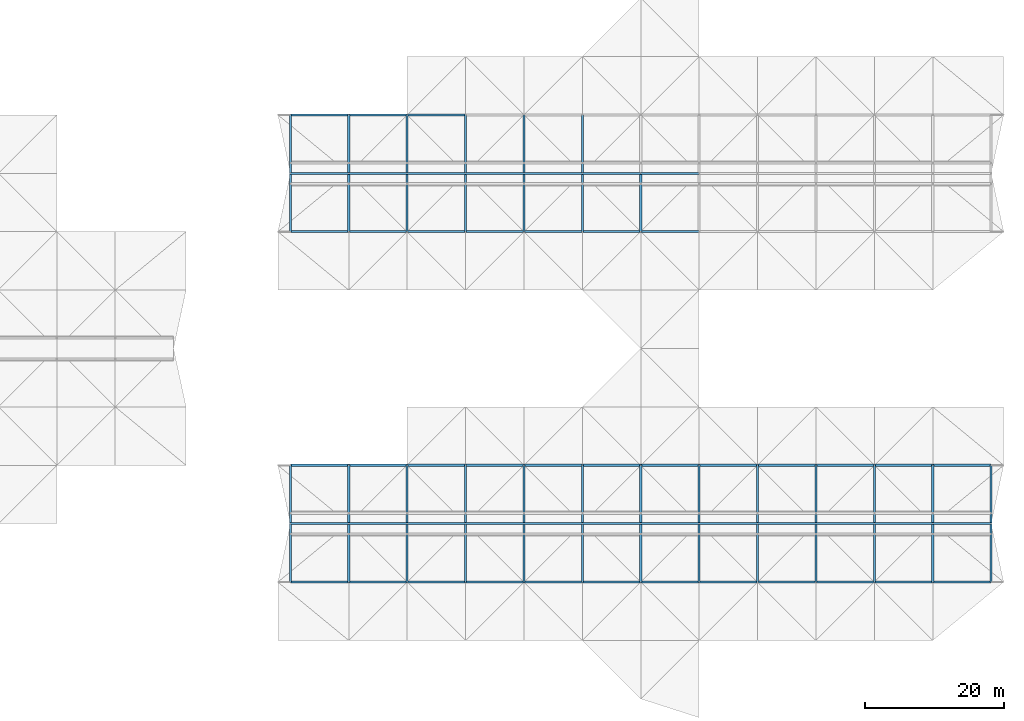
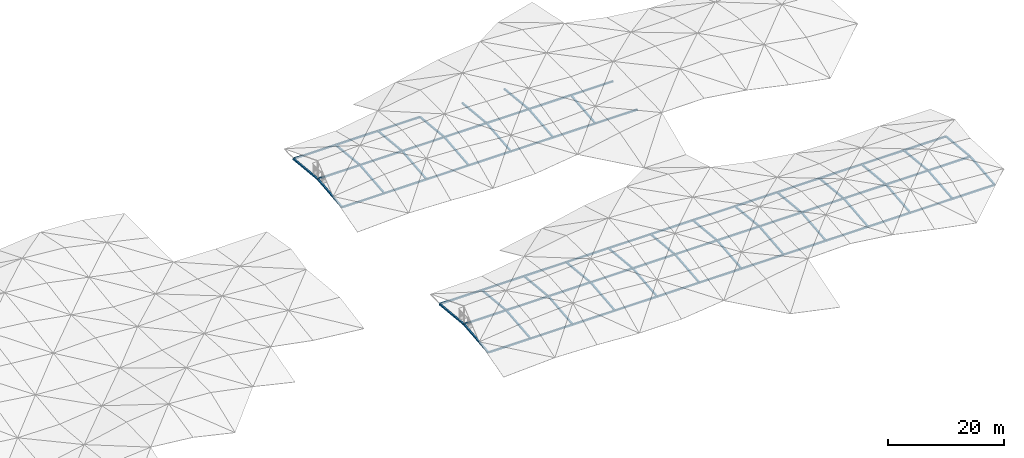
# One storey, part 1 of 46: 92 members.
"""IFC4 building model written with IfcOpenShell, lengths in metres."""

from ifc_helpers import new_model, si_unit, direction, frame, origin, origin_2d, place, context, subcontext, project, spatial, hollow_rectangle, extrude, material, material_profile, profile_set, type_object, element, save


model = new_model("IFC4")

# Units and contexts
model_context = context("Model", 3, precision=1e-05, world=origin(), true_north=direction((0.0, 1.0)))
body_context = subcontext(model_context, "Body", "Model", "MODEL_VIEW")
ifc_project = project(units=[si_unit("LENGTHUNIT", "METRE"), si_unit("AREAUNIT", "SQUARE_METRE"), si_unit("VOLUMEUNIT", "CUBIC_METRE"), si_unit("PLANEANGLEUNIT", "RADIAN"), si_unit("MASSUNIT", "GRAM", prefix="KILO")], contexts=[model_context])

# Site, building, storey
site_placement = place(None, origin())
site = spatial("IfcSite", under=ifc_project, at=site_placement, CompositionType="ELEMENT")
building_placement = place(site_placement, origin())
building = spatial("IfcBuilding", under=site, at=building_placement, Name="Rain Tree Exposition and Congress Centre", CompositionType="ELEMENT")
storey_placement = place(building_placement, frame((0.0, 0.0, 27.0)))
storey = spatial("IfcBuildingStorey", under=building, at=storey_placement, Name="ROOF VAULT CREST", CompositionType="ELEMENT", Elevation=27.0)

# Members
ifc_material = material(Name="Steel S355J2H", Category="steel")
ifc_material_profile = material_profile(ifc_material, hollow_rectangle(XDim=0.300048828125, YDim=0.300048828125, WallThickness=0.009033203125, at=origin_2d()), Name="RHS 300x300x9")
ifc_profile_set = profile_set([ifc_material_profile], Name="Steel S355J2H")
member_type = type_object("IfcMemberType", Name="Steel chord member RHS 300x300x9", PredefinedType="CHORD", material=ifc_profile_set)
member_1_placement = place(storey_placement, frame((142.800048828125, 117.60009765625, 0.40087890625), z_axis=(1.0, 0.0, 0.0), x_axis=(0.0, 1.0, 0.0)))
element("IfcMember", 1, at=member_1_placement, inside=storey, type_object=member_type, Name="Top chord 25", PredefinedType="CHORD", context=body_context, shape_type="SweptSolid", body=[
    extrude(hollow_rectangle(XDim=0.300048828125, YDim=0.300048828125, WallThickness=0.009033203125, at=origin_2d()), origin(), (0.0, 0.0, 1.0), 8.39990234375),
])
member_2_placement = place(storey_placement, frame((151.199951171875, 117.60009765625, 0.40087890625), z_axis=(1.0, 0.0, 0.0), x_axis=(0.0, 1.0, 0.0)))
element("IfcMember", 2, at=member_2_placement, inside=storey, type_object=member_type, Name="Top chord 26", PredefinedType="CHORD", context=body_context, shape_type="SweptSolid", body=[
    extrude(hollow_rectangle(XDim=0.300048828125, YDim=0.300048828125, WallThickness=0.009033203125, at=origin_2d()), origin(), (0.0, 0.0, 1.0), 8.400146484375),
])
for number, where, z_axis, x_axis, name in (
    (3, (159.60009765625, 117.60009765625, 0.40087890625), (1.0, 0.0, 0.0), (0.0, 1.0, 0.0), "Top chord 27"),
    (4, (168.0, 117.60009765625, 0.40087890625), (1.0, 0.0, 0.0), (0.0, 1.0, 0.0), "Top chord 28"),
):
    element("IfcMember", number, at=place(storey_placement, frame(where, z_axis=z_axis, x_axis=x_axis)), inside=storey, type_object=member_type, Name=name, PredefinedType="CHORD", context=body_context, shape_type="SweptSolid", body=[
        extrude(hollow_rectangle(XDim=0.300048828125, YDim=0.300048828125, WallThickness=0.009033203125, at=origin_2d()), origin(), (0.0, 0.0, 1.0), 8.39990234375),
    ])
member_3_placement = place(storey_placement, frame((176.39990234375, 117.60009765625, 0.40087890625), z_axis=(1.0, 0.0, 0.0), x_axis=(0.0, 1.0, 0.0)))
element("IfcMember", 5, at=member_3_placement, inside=storey, type_object=member_type, Name="Top chord 29", PredefinedType="CHORD", context=body_context, shape_type="SweptSolid", body=[
    extrude(hollow_rectangle(XDim=0.300048828125, YDim=0.300048828125, WallThickness=0.009033203125, at=origin_2d()), origin(), (0.0, 0.0, 1.0), 8.400146484375),
])
member_4_placement = place(storey_placement, frame((184.800048828125, 117.60009765625, 0.40087890625), z_axis=(1.0, 0.0, 0.0), x_axis=(0.0, 1.0, 0.0)))
element("IfcMember", 6, at=member_4_placement, inside=storey, type_object=member_type, Name="Top chord 30", PredefinedType="CHORD", context=body_context, shape_type="SweptSolid", body=[
    extrude(hollow_rectangle(XDim=0.300048828125, YDim=0.300048828125, WallThickness=0.009033203125, at=origin_2d()), origin(), (0.0, 0.0, 1.0), 8.39990234375),
])
member_5_placement = place(storey_placement, frame((193.199951171875, 117.60009765625, 0.40087890625), z_axis=(1.0, 0.0, 0.0), x_axis=(0.0, 1.0, 0.0)))
element("IfcMember", 7, at=member_5_placement, inside=storey, type_object=member_type, Name="Top chord 31", PredefinedType="CHORD", context=body_context, shape_type="SweptSolid", body=[
    extrude(hollow_rectangle(XDim=0.300048828125, YDim=0.300048828125, WallThickness=0.009033203125, at=origin_2d()), origin(), (0.0, 0.0, 1.0), 8.400146484375),
])
for number, where, z_axis, x_axis, name in (
    (8, (201.60009765625, 117.60009765625, 0.40087890625), (1.0, 0.0, 0.0), (0.0, 1.0, 0.0), "Top chord 32"),
    (9, (210.0, 117.60009765625, 0.40087890625), (1.0, 0.0, 0.0), (0.0, 1.0, 0.0), "Top chord 33"),
):
    element("IfcMember", number, at=place(storey_placement, frame(where, z_axis=z_axis, x_axis=x_axis)), inside=storey, type_object=member_type, Name=name, PredefinedType="CHORD", context=body_context, shape_type="SweptSolid", body=[
        extrude(hollow_rectangle(XDim=0.300048828125, YDim=0.300048828125, WallThickness=0.009033203125, at=origin_2d()), origin(), (0.0, 0.0, 1.0), 8.39990234375),
    ])
member_6_placement = place(storey_placement, frame((218.39990234375, 117.60009765625, 0.40087890625), z_axis=(1.0, 0.0, 0.0), x_axis=(0.0, 1.0, 0.0)))
element("IfcMember", 10, at=member_6_placement, inside=storey, type_object=member_type, Name="Top chord 34", PredefinedType="CHORD", context=body_context, shape_type="SweptSolid", body=[
    extrude(hollow_rectangle(XDim=0.300048828125, YDim=0.300048828125, WallThickness=0.009033203125, at=origin_2d()), origin(), (0.0, 0.0, 1.0), 8.400146484375),
])
member_7_placement = place(storey_placement, frame((226.800048828125, 117.60009765625, 0.40087890625), z_axis=(1.0, 0.0, 0.0), x_axis=(0.0, 1.0, 0.0)))
element("IfcMember", 11, at=member_7_placement, inside=storey, type_object=member_type, Name="Top chord 35", PredefinedType="CHORD", context=body_context, shape_type="SweptSolid", body=[
    extrude(hollow_rectangle(XDim=0.300048828125, YDim=0.300048828125, WallThickness=0.009033203125, at=origin_2d()), origin(), (0.0, 0.0, 1.0), 8.39990234375),
])
member_8_placement = place(storey_placement, frame((235.199951171875, 117.60009765625, 0.40087890625), z_axis=(1.0, 0.0, 0.0), x_axis=(0.0, 1.0, 0.0)))
element("IfcMember", 12, at=member_8_placement, inside=storey, type_object=member_type, Name="Top chord 36", PredefinedType="CHORD", context=body_context, shape_type="SweptSolid", body=[
    extrude(hollow_rectangle(XDim=0.300048828125, YDim=0.300048828125, WallThickness=0.009033203125, at=origin_2d()), origin(), (0.0, 0.0, 1.0), 8.400146484375),
])
member_9_placement = place(storey_placement, frame((142.800048828125, 126.0, 1.25), z_axis=(1.0, 0.0, 0.0), x_axis=(0.0, 1.0, 0.0)))
element("IfcMember", 13, at=member_9_placement, inside=storey, type_object=member_type, Name="Top chord 37", PredefinedType="CHORD", context=body_context, shape_type="SweptSolid", body=[
    extrude(hollow_rectangle(XDim=0.300048828125, YDim=0.300048828125, WallThickness=0.009033203125, at=origin_2d()), origin(), (0.0, 0.0, 1.0), 8.39990234375),
])
member_10_placement = place(storey_placement, frame((151.199951171875, 126.0, 1.25), z_axis=(1.0, 0.0, 0.0), x_axis=(0.0, 1.0, 0.0)))
element("IfcMember", 14, at=member_10_placement, inside=storey, type_object=member_type, Name="Top chord 38", PredefinedType="CHORD", context=body_context, shape_type="SweptSolid", body=[
    extrude(hollow_rectangle(XDim=0.300048828125, YDim=0.300048828125, WallThickness=0.009033203125, at=origin_2d()), origin(), (0.0, 0.0, 1.0), 8.400146484375),
])
for number, where, z_axis, x_axis, name in (
    (15, (159.60009765625, 126.0, 1.25), (1.0, 0.0, 0.0), (0.0, 1.0, 0.0), "Top chord 39"),
    (16, (168.0, 126.0, 1.25), (1.0, 0.0, 0.0), (0.0, 1.0, 0.0), "Top chord 40"),
):
    element("IfcMember", number, at=place(storey_placement, frame(where, z_axis=z_axis, x_axis=x_axis)), inside=storey, type_object=member_type, Name=name, PredefinedType="CHORD", context=body_context, shape_type="SweptSolid", body=[
        extrude(hollow_rectangle(XDim=0.300048828125, YDim=0.300048828125, WallThickness=0.009033203125, at=origin_2d()), origin(), (0.0, 0.0, 1.0), 8.39990234375),
    ])
member_11_placement = place(storey_placement, frame((176.39990234375, 126.0, 1.25), z_axis=(1.0, 0.0, 0.0), x_axis=(0.0, 1.0, 0.0)))
element("IfcMember", 17, at=member_11_placement, inside=storey, type_object=member_type, Name="Top chord 41", PredefinedType="CHORD", context=body_context, shape_type="SweptSolid", body=[
    extrude(hollow_rectangle(XDim=0.300048828125, YDim=0.300048828125, WallThickness=0.009033203125, at=origin_2d()), origin(), (0.0, 0.0, 1.0), 8.400146484375),
])
member_12_placement = place(storey_placement, frame((184.800048828125, 126.0, 1.25), z_axis=(1.0, 0.0, 0.0), x_axis=(0.0, 1.0, 0.0)))
element("IfcMember", 18, at=member_12_placement, inside=storey, type_object=member_type, Name="Top chord 42", PredefinedType="CHORD", context=body_context, shape_type="SweptSolid", body=[
    extrude(hollow_rectangle(XDim=0.300048828125, YDim=0.300048828125, WallThickness=0.009033203125, at=origin_2d()), origin(), (0.0, 0.0, 1.0), 8.39990234375),
])
member_13_placement = place(storey_placement, frame((193.199951171875, 126.0, 1.25), z_axis=(1.0, 0.0, 0.0), x_axis=(0.0, 1.0, 0.0)))
element("IfcMember", 19, at=member_13_placement, inside=storey, type_object=member_type, Name="Top chord 43", PredefinedType="CHORD", context=body_context, shape_type="SweptSolid", body=[
    extrude(hollow_rectangle(XDim=0.300048828125, YDim=0.300048828125, WallThickness=0.009033203125, at=origin_2d()), origin(), (0.0, 0.0, 1.0), 8.400146484375),
])
for number, where, z_axis, x_axis, name in (
    (20, (201.60009765625, 126.0, 1.25), (1.0, 0.0, 0.0), (0.0, 1.0, 0.0), "Top chord 44"),
    (21, (210.0, 126.0, 1.25), (1.0, 0.0, 0.0), (0.0, 1.0, 0.0), "Top chord 45"),
):
    element("IfcMember", number, at=place(storey_placement, frame(where, z_axis=z_axis, x_axis=x_axis)), inside=storey, type_object=member_type, Name=name, PredefinedType="CHORD", context=body_context, shape_type="SweptSolid", body=[
        extrude(hollow_rectangle(XDim=0.300048828125, YDim=0.300048828125, WallThickness=0.009033203125, at=origin_2d()), origin(), (0.0, 0.0, 1.0), 8.39990234375),
    ])
member_14_placement = place(storey_placement, frame((218.39990234375, 126.0, 1.25), z_axis=(1.0, 0.0, 0.0), x_axis=(0.0, 1.0, 0.0)))
element("IfcMember", 22, at=member_14_placement, inside=storey, type_object=member_type, Name="Top chord 46", PredefinedType="CHORD", context=body_context, shape_type="SweptSolid", body=[
    extrude(hollow_rectangle(XDim=0.300048828125, YDim=0.300048828125, WallThickness=0.009033203125, at=origin_2d()), origin(), (0.0, 0.0, 1.0), 8.400146484375),
])
member_15_placement = place(storey_placement, frame((226.800048828125, 126.0, 1.25), z_axis=(1.0, 0.0, 0.0), x_axis=(0.0, 1.0, 0.0)))
element("IfcMember", 23, at=member_15_placement, inside=storey, type_object=member_type, Name="Top chord 47", PredefinedType="CHORD", context=body_context, shape_type="SweptSolid", body=[
    extrude(hollow_rectangle(XDim=0.300048828125, YDim=0.300048828125, WallThickness=0.009033203125, at=origin_2d()), origin(), (0.0, 0.0, 1.0), 8.39990234375),
])
member_16_placement = place(storey_placement, frame((235.199951171875, 126.0, 1.25), z_axis=(1.0, 0.0, 0.0), x_axis=(0.0, 1.0, 0.0)))
element("IfcMember", 24, at=member_16_placement, inside=storey, type_object=member_type, Name="Top chord 48", PredefinedType="CHORD", context=body_context, shape_type="SweptSolid", body=[
    extrude(hollow_rectangle(XDim=0.300048828125, YDim=0.300048828125, WallThickness=0.009033203125, at=origin_2d()), origin(), (0.0, 0.0, 1.0), 8.400146484375),
])
member_17_placement = place(storey_placement, frame((142.800048828125, 134.39990234375, 0.40087890625), z_axis=(1.0, 0.0, 0.0), x_axis=(0.0, 1.0, 0.0)))
element("IfcMember", 25, at=member_17_placement, inside=storey, type_object=member_type, Name="Top chord 49", PredefinedType="CHORD", context=body_context, shape_type="SweptSolid", body=[
    extrude(hollow_rectangle(XDim=0.300048828125, YDim=0.300048828125, WallThickness=0.009033203125, at=origin_2d()), origin(), (0.0, 0.0, 1.0), 8.39990234375),
])
member_18_placement = place(storey_placement, frame((151.199951171875, 134.39990234375, 0.40087890625), z_axis=(1.0, 0.0, 0.0), x_axis=(0.0, 1.0, 0.0)))
element("IfcMember", 26, at=member_18_placement, inside=storey, type_object=member_type, Name="Top chord 50", PredefinedType="CHORD", context=body_context, shape_type="SweptSolid", body=[
    extrude(hollow_rectangle(XDim=0.300048828125, YDim=0.300048828125, WallThickness=0.009033203125, at=origin_2d()), origin(), (0.0, 0.0, 1.0), 8.400146484375),
])
for number, where, z_axis, x_axis, name in (
    (27, (159.60009765625, 134.39990234375, 0.40087890625), (1.0, 0.0, 0.0), (0.0, 1.0, 0.0), "Top chord 51"),
    (28, (168.0, 134.39990234375, 0.40087890625), (1.0, 0.0, 0.0), (0.0, 1.0, 0.0), "Top chord 52"),
):
    element("IfcMember", number, at=place(storey_placement, frame(where, z_axis=z_axis, x_axis=x_axis)), inside=storey, type_object=member_type, Name=name, PredefinedType="CHORD", context=body_context, shape_type="SweptSolid", body=[
        extrude(hollow_rectangle(XDim=0.300048828125, YDim=0.300048828125, WallThickness=0.009033203125, at=origin_2d()), origin(), (0.0, 0.0, 1.0), 8.39990234375),
    ])
member_19_placement = place(storey_placement, frame((176.39990234375, 134.39990234375, 0.40087890625), z_axis=(1.0, 0.0, 0.0), x_axis=(0.0, 1.0, 0.0)))
element("IfcMember", 29, at=member_19_placement, inside=storey, type_object=member_type, Name="Top chord 53", PredefinedType="CHORD", context=body_context, shape_type="SweptSolid", body=[
    extrude(hollow_rectangle(XDim=0.300048828125, YDim=0.300048828125, WallThickness=0.009033203125, at=origin_2d()), origin(), (0.0, 0.0, 1.0), 8.400146484375),
])
member_20_placement = place(storey_placement, frame((184.800048828125, 134.39990234375, 0.40087890625), z_axis=(1.0, 0.0, 0.0), x_axis=(0.0, 1.0, 0.0)))
element("IfcMember", 30, at=member_20_placement, inside=storey, type_object=member_type, Name="Top chord 54", PredefinedType="CHORD", context=body_context, shape_type="SweptSolid", body=[
    extrude(hollow_rectangle(XDim=0.300048828125, YDim=0.300048828125, WallThickness=0.009033203125, at=origin_2d()), origin(), (0.0, 0.0, 1.0), 8.39990234375),
])
member_21_placement = place(storey_placement, frame((193.199951171875, 134.39990234375, 0.40087890625), z_axis=(1.0, 0.0, 0.0), x_axis=(0.0, 1.0, 0.0)))
element("IfcMember", 31, at=member_21_placement, inside=storey, type_object=member_type, Name="Top chord 55", PredefinedType="CHORD", context=body_context, shape_type="SweptSolid", body=[
    extrude(hollow_rectangle(XDim=0.300048828125, YDim=0.300048828125, WallThickness=0.009033203125, at=origin_2d()), origin(), (0.0, 0.0, 1.0), 8.400146484375),
])
for number, where, z_axis, x_axis, name in (
    (32, (201.60009765625, 134.39990234375, 0.40087890625), (1.0, 0.0, 0.0), (0.0, 1.0, 0.0), "Top chord 56"),
    (33, (210.0, 134.39990234375, 0.40087890625), (1.0, 0.0, 0.0), (0.0, 1.0, 0.0), "Top chord 57"),
):
    element("IfcMember", number, at=place(storey_placement, frame(where, z_axis=z_axis, x_axis=x_axis)), inside=storey, type_object=member_type, Name=name, PredefinedType="CHORD", context=body_context, shape_type="SweptSolid", body=[
        extrude(hollow_rectangle(XDim=0.300048828125, YDim=0.300048828125, WallThickness=0.009033203125, at=origin_2d()), origin(), (0.0, 0.0, 1.0), 8.39990234375),
    ])
member_22_placement = place(storey_placement, frame((218.39990234375, 134.39990234375, 0.40087890625), z_axis=(1.0, 0.0, 0.0), x_axis=(0.0, 1.0, 0.0)))
element("IfcMember", 34, at=member_22_placement, inside=storey, type_object=member_type, Name="Top chord 58", PredefinedType="CHORD", context=body_context, shape_type="SweptSolid", body=[
    extrude(hollow_rectangle(XDim=0.300048828125, YDim=0.300048828125, WallThickness=0.009033203125, at=origin_2d()), origin(), (0.0, 0.0, 1.0), 8.400146484375),
])
member_23_placement = place(storey_placement, frame((226.800048828125, 134.39990234375, 0.40087890625), z_axis=(1.0, 0.0, 0.0), x_axis=(0.0, 1.0, 0.0)))
element("IfcMember", 35, at=member_23_placement, inside=storey, type_object=member_type, Name="Top chord 59", PredefinedType="CHORD", context=body_context, shape_type="SweptSolid", body=[
    extrude(hollow_rectangle(XDim=0.300048828125, YDim=0.300048828125, WallThickness=0.009033203125, at=origin_2d()), origin(), (0.0, 0.0, 1.0), 8.39990234375),
])
member_24_placement = place(storey_placement, frame((235.199951171875, 134.39990234375, 0.40087890625), z_axis=(1.0, 0.0, 0.0), x_axis=(0.0, 1.0, 0.0)))
element("IfcMember", 36, at=member_24_placement, inside=storey, type_object=member_type, Name="Top chord 60", PredefinedType="CHORD", context=body_context, shape_type="SweptSolid", body=[
    extrude(hollow_rectangle(XDim=0.300048828125, YDim=0.300048828125, WallThickness=0.009033203125, at=origin_2d()), origin(), (0.0, 0.0, 1.0), 8.400146484375),
])
member_25_placement = place(storey_placement, frame((142.800048828125, 168.0, 0.40087890625), z_axis=(1.0, 0.0, 0.0), x_axis=(0.0, 1.0, 0.0)))
element("IfcMember", 37, at=member_25_placement, inside=storey, type_object=member_type, Name="Top chord 97", PredefinedType="CHORD", context=body_context, shape_type="SweptSolid", body=[
    extrude(hollow_rectangle(XDim=0.300048828125, YDim=0.300048828125, WallThickness=0.009033203125, at=origin_2d()), origin(), (0.0, 0.0, 1.0), 8.39990234375),
])
member_26_placement = place(storey_placement, frame((151.199951171875, 168.0, 0.40087890625), z_axis=(1.0, 0.0, 0.0), x_axis=(0.0, 1.0, 0.0)))
element("IfcMember", 38, at=member_26_placement, inside=storey, type_object=member_type, Name="Top chord 98", PredefinedType="CHORD", context=body_context, shape_type="SweptSolid", body=[
    extrude(hollow_rectangle(XDim=0.300048828125, YDim=0.300048828125, WallThickness=0.009033203125, at=origin_2d()), origin(), (0.0, 0.0, 1.0), 8.400146484375),
])
for number, where, z_axis, x_axis, name in (
    (39, (159.60009765625, 168.0, 0.40087890625), (1.0, 0.0, 0.0), (0.0, 1.0, 0.0), "Top chord 99"),
    (40, (168.0, 168.0, 0.40087890625), (1.0, 0.0, 0.0), (0.0, 1.0, 0.0), "Top chord 100"),
):
    element("IfcMember", number, at=place(storey_placement, frame(where, z_axis=z_axis, x_axis=x_axis)), inside=storey, type_object=member_type, Name=name, PredefinedType="CHORD", context=body_context, shape_type="SweptSolid", body=[
        extrude(hollow_rectangle(XDim=0.300048828125, YDim=0.300048828125, WallThickness=0.009033203125, at=origin_2d()), origin(), (0.0, 0.0, 1.0), 8.39990234375),
    ])
member_27_placement = place(storey_placement, frame((176.39990234375, 168.0, 0.40087890625), z_axis=(1.0, 0.0, 0.0), x_axis=(0.0, 1.0, 0.0)))
element("IfcMember", 41, at=member_27_placement, inside=storey, type_object=member_type, Name="Top chord 101", PredefinedType="CHORD", context=body_context, shape_type="SweptSolid", body=[
    extrude(hollow_rectangle(XDim=0.300048828125, YDim=0.300048828125, WallThickness=0.009033203125, at=origin_2d()), origin(), (0.0, 0.0, 1.0), 8.400146484375),
])
member_28_placement = place(storey_placement, frame((184.800048828125, 168.0, 0.40087890625), z_axis=(1.0, 0.0, 0.0), x_axis=(0.0, 1.0, 0.0)))
element("IfcMember", 42, at=member_28_placement, inside=storey, type_object=member_type, Name="Top chord 102", PredefinedType="CHORD", context=body_context, shape_type="SweptSolid", body=[
    extrude(hollow_rectangle(XDim=0.300048828125, YDim=0.300048828125, WallThickness=0.009033203125, at=origin_2d()), origin(), (0.0, 0.0, 1.0), 8.39990234375),
])
member_29_placement = place(storey_placement, frame((193.199951171875, 168.0, 0.40087890625), z_axis=(1.0, 0.0, 0.0), x_axis=(0.0, 1.0, 0.0)))
element("IfcMember", 43, at=member_29_placement, inside=storey, type_object=member_type, Name="Top chord 103", PredefinedType="CHORD", context=body_context, shape_type="SweptSolid", body=[
    extrude(hollow_rectangle(XDim=0.300048828125, YDim=0.300048828125, WallThickness=0.009033203125, at=origin_2d()), origin(), (0.0, 0.0, 1.0), 8.400146484375),
])
member_30_placement = place(storey_placement, frame((142.800048828125, 176.39990234375, 1.25), z_axis=(1.0, 0.0, 0.0), x_axis=(0.0, 1.0, 0.0)))
element("IfcMember", 44, at=member_30_placement, inside=storey, type_object=member_type, Name="Top chord 109", PredefinedType="CHORD", context=body_context, shape_type="SweptSolid", body=[
    extrude(hollow_rectangle(XDim=0.300048828125, YDim=0.300048828125, WallThickness=0.009033203125, at=origin_2d()), origin(), (0.0, 0.0, 1.0), 8.39990234375),
])
member_31_placement = place(storey_placement, frame((151.199951171875, 176.39990234375, 1.25), z_axis=(1.0, 0.0, 0.0), x_axis=(0.0, 1.0, 0.0)))
element("IfcMember", 45, at=member_31_placement, inside=storey, type_object=member_type, Name="Top chord 110", PredefinedType="CHORD", context=body_context, shape_type="SweptSolid", body=[
    extrude(hollow_rectangle(XDim=0.300048828125, YDim=0.300048828125, WallThickness=0.009033203125, at=origin_2d()), origin(), (0.0, 0.0, 1.0), 8.400146484375),
])
for number, where, z_axis, x_axis, name in (
    (46, (159.60009765625, 176.39990234375, 1.25), (1.0, 0.0, 0.0), (0.0, 1.0, 0.0), "Top chord 111"),
    (47, (168.0, 176.39990234375, 1.25), (1.0, 0.0, 0.0), (0.0, 1.0, 0.0), "Top chord 112"),
):
    element("IfcMember", number, at=place(storey_placement, frame(where, z_axis=z_axis, x_axis=x_axis)), inside=storey, type_object=member_type, Name=name, PredefinedType="CHORD", context=body_context, shape_type="SweptSolid", body=[
        extrude(hollow_rectangle(XDim=0.300048828125, YDim=0.300048828125, WallThickness=0.009033203125, at=origin_2d()), origin(), (0.0, 0.0, 1.0), 8.39990234375),
    ])
member_32_placement = place(storey_placement, frame((176.39990234375, 176.39990234375, 1.25), z_axis=(1.0, 0.0, 0.0), x_axis=(0.0, 1.0, 0.0)))
element("IfcMember", 48, at=member_32_placement, inside=storey, type_object=member_type, Name="Top chord 113", PredefinedType="CHORD", context=body_context, shape_type="SweptSolid", body=[
    extrude(hollow_rectangle(XDim=0.300048828125, YDim=0.300048828125, WallThickness=0.009033203125, at=origin_2d()), origin(), (0.0, 0.0, 1.0), 8.400146484375),
])
member_33_placement = place(storey_placement, frame((184.800048828125, 176.39990234375, 1.25), z_axis=(1.0, 0.0, 0.0), x_axis=(0.0, 1.0, 0.0)))
element("IfcMember", 49, at=member_33_placement, inside=storey, type_object=member_type, Name="Top chord 114", PredefinedType="CHORD", context=body_context, shape_type="SweptSolid", body=[
    extrude(hollow_rectangle(XDim=0.300048828125, YDim=0.300048828125, WallThickness=0.009033203125, at=origin_2d()), origin(), (0.0, 0.0, 1.0), 8.39990234375),
])
member_34_placement = place(storey_placement, frame((193.199951171875, 176.39990234375, 1.25), z_axis=(1.0, 0.0, 0.0), x_axis=(0.0, 1.0, 0.0)))
element("IfcMember", 50, at=member_34_placement, inside=storey, type_object=member_type, Name="Top chord 115", PredefinedType="CHORD", context=body_context, shape_type="SweptSolid", body=[
    extrude(hollow_rectangle(XDim=0.300048828125, YDim=0.300048828125, WallThickness=0.009033203125, at=origin_2d()), origin(), (0.0, 0.0, 1.0), 8.400146484375),
])
member_35_placement = place(storey_placement, frame((142.800048828125, 184.800048828125, 0.40087890625), z_axis=(1.0, 0.0, 0.0), x_axis=(0.0, 1.0, 0.0)))
element("IfcMember", 51, at=member_35_placement, inside=storey, type_object=member_type, Name="Top chord 121", PredefinedType="CHORD", context=body_context, shape_type="SweptSolid", body=[
    extrude(hollow_rectangle(XDim=0.300048828125, YDim=0.300048828125, WallThickness=0.009033203125, at=origin_2d()), origin(), (0.0, 0.0, 1.0), 8.39990234375),
])
member_36_placement = place(storey_placement, frame((151.199951171875, 184.800048828125, 0.40087890625), z_axis=(1.0, 0.0, 0.0), x_axis=(0.0, 1.0, 0.0)))
element("IfcMember", 52, at=member_36_placement, inside=storey, type_object=member_type, Name="Top chord 122", PredefinedType="CHORD", context=body_context, shape_type="SweptSolid", body=[
    extrude(hollow_rectangle(XDim=0.300048828125, YDim=0.300048828125, WallThickness=0.009033203125, at=origin_2d()), origin(), (0.0, 0.0, 1.0), 8.400146484375),
])
member_37_placement = place(storey_placement, frame((159.60009765625, 184.800048828125, 0.40087890625), z_axis=(1.0, 0.0, 0.0), x_axis=(0.0, 1.0, 0.0)))
element("IfcMember", 53, at=member_37_placement, inside=storey, type_object=member_type, Name="Top chord 123", PredefinedType="CHORD", context=body_context, shape_type="SweptSolid", body=[
    extrude(hollow_rectangle(XDim=0.300048828125, YDim=0.300048828125, WallThickness=0.009033203125, at=origin_2d()), origin(), (0.0, 0.0, 1.0), 8.39990234375),
])
for number, where, z_axis, x_axis, name in (
    (54, (142.800048828125, 117.60009765625, 0.40087890625), (0.0, 0.994929534043, 0.100574461414), (-1.0, 0.0, 0.0), "Top chord 159"),
    (55, (142.800048828125, 126.0, 1.25), (0.0, 0.994929534043, -0.100574461414), (-1.0, 0.0, 0.0), "Top chord 160"),
    (56, (142.800048828125, 168.0, 0.40087890625), (0.0, 0.994929534043, 0.100574461414), (-1.0, 0.0, 0.0), "Top chord 165"),
):
    element("IfcMember", number, at=place(storey_placement, frame(where, z_axis=z_axis, x_axis=x_axis)), inside=storey, type_object=member_type, Name=name, PredefinedType="CHORD", context=body_context, shape_type="SweptSolid", body=[
        extrude(hollow_rectangle(XDim=0.300048828125, YDim=0.300048828125, WallThickness=0.009033203125, at=origin_2d()), origin(), (0.0, 0.0, 1.0), 8.442626953125),
    ])
member_38_placement = place(storey_placement, frame((142.800048828125, 176.39990234375, 1.25), z_axis=(0.0, 0.994929826536, -0.100571567899), x_axis=(-1.0, 0.0, 0.0)))
element("IfcMember", 57, at=member_38_placement, inside=storey, type_object=member_type, Name="Top chord 166", PredefinedType="CHORD", context=body_context, shape_type="SweptSolid", body=[
    extrude(hollow_rectangle(XDim=0.300048828125, YDim=0.300048828125, WallThickness=0.009033203125, at=origin_2d()), origin(), (0.0, 0.0, 1.0), 8.44287109375),
])
for number, where, z_axis, x_axis, name in (
    (58, (151.199951171875, 117.60009765625, 0.40087890625), (0.0, 0.994929534043, 0.100574461414), (-1.0, 0.0, 0.0), "Top chord 171"),
    (59, (151.199951171875, 126.0, 1.25), (0.0, 0.994929534043, -0.100574461414), (-1.0, 0.0, 0.0), "Top chord 172"),
    (60, (151.199951171875, 168.0, 0.40087890625), (0.0, 0.994929534043, 0.100574461414), (-1.0, 0.0, 0.0), "Top chord 177"),
):
    element("IfcMember", number, at=place(storey_placement, frame(where, z_axis=z_axis, x_axis=x_axis)), inside=storey, type_object=member_type, Name=name, PredefinedType="CHORD", context=body_context, shape_type="SweptSolid", body=[
        extrude(hollow_rectangle(XDim=0.300048828125, YDim=0.300048828125, WallThickness=0.009033203125, at=origin_2d()), origin(), (0.0, 0.0, 1.0), 8.442626953125),
    ])
member_39_placement = place(storey_placement, frame((151.199951171875, 176.39990234375, 1.25), z_axis=(0.0, 0.994929826536, -0.100571567899), x_axis=(-1.0, 0.0, 0.0)))
element("IfcMember", 61, at=member_39_placement, inside=storey, type_object=member_type, Name="Top chord 178", PredefinedType="CHORD", context=body_context, shape_type="SweptSolid", body=[
    extrude(hollow_rectangle(XDim=0.300048828125, YDim=0.300048828125, WallThickness=0.009033203125, at=origin_2d()), origin(), (0.0, 0.0, 1.0), 8.44287109375),
])
for number, where, z_axis, x_axis, name in (
    (62, (159.60009765625, 117.60009765625, 0.40087890625), (0.0, 0.994929534043, 0.100574461414), (-1.0, 0.0, 0.0), "Top chord 183"),
    (63, (159.60009765625, 126.0, 1.25), (0.0, 0.994929534043, -0.100574461414), (-1.0, 0.0, 0.0), "Top chord 184"),
    (64, (159.60009765625, 168.0, 0.40087890625), (0.0, 0.994929534043, 0.100574461414), (-1.0, 0.0, 0.0), "Top chord 189"),
):
    element("IfcMember", number, at=place(storey_placement, frame(where, z_axis=z_axis, x_axis=x_axis)), inside=storey, type_object=member_type, Name=name, PredefinedType="CHORD", context=body_context, shape_type="SweptSolid", body=[
        extrude(hollow_rectangle(XDim=0.300048828125, YDim=0.300048828125, WallThickness=0.009033203125, at=origin_2d()), origin(), (0.0, 0.0, 1.0), 8.442626953125),
    ])
member_40_placement = place(storey_placement, frame((159.60009765625, 176.39990234375, 1.25), z_axis=(0.0, 0.994929826536, -0.100571567899), x_axis=(-1.0, 0.0, 0.0)))
element("IfcMember", 65, at=member_40_placement, inside=storey, type_object=member_type, Name="Top chord 190", PredefinedType="CHORD", context=body_context, shape_type="SweptSolid", body=[
    extrude(hollow_rectangle(XDim=0.300048828125, YDim=0.300048828125, WallThickness=0.009033203125, at=origin_2d()), origin(), (0.0, 0.0, 1.0), 8.44287109375),
])
for number, where, z_axis, x_axis, name in (
    (66, (168.0, 117.60009765625, 0.40087890625), (0.0, 0.994929534043, 0.100574461414), (-1.0, 0.0, 0.0), "Top chord 195"),
    (67, (168.0, 126.0, 1.25), (0.0, 0.994929534043, -0.100574461414), (-1.0, 0.0, 0.0), "Top chord 196"),
    (68, (168.0, 168.0, 0.40087890625), (0.0, 0.994929534043, 0.100574461414), (-1.0, 0.0, 0.0), "Top chord 201"),
):
    element("IfcMember", number, at=place(storey_placement, frame(where, z_axis=z_axis, x_axis=x_axis)), inside=storey, type_object=member_type, Name=name, PredefinedType="CHORD", context=body_context, shape_type="SweptSolid", body=[
        extrude(hollow_rectangle(XDim=0.300048828125, YDim=0.300048828125, WallThickness=0.009033203125, at=origin_2d()), origin(), (0.0, 0.0, 1.0), 8.442626953125),
    ])
member_41_placement = place(storey_placement, frame((168.0, 176.39990234375, 1.25), z_axis=(0.0, 0.994929826536, -0.100571567899), x_axis=(-1.0, 0.0, 0.0)))
element("IfcMember", 69, at=member_41_placement, inside=storey, type_object=member_type, Name="Top chord 202", PredefinedType="CHORD", context=body_context, shape_type="SweptSolid", body=[
    extrude(hollow_rectangle(XDim=0.300048828125, YDim=0.300048828125, WallThickness=0.009033203125, at=origin_2d()), origin(), (0.0, 0.0, 1.0), 8.44287109375),
])
for number, where, z_axis, x_axis, name in (
    (70, (176.39990234375, 117.60009765625, 0.40087890625), (0.0, 0.994929534043, 0.100574461414), (-1.0, 0.0, 0.0), "Top chord 207"),
    (71, (176.39990234375, 126.0, 1.25), (0.0, 0.994929534043, -0.100574461414), (-1.0, 0.0, 0.0), "Top chord 208"),
    (72, (176.39990234375, 168.0, 0.40087890625), (0.0, 0.994929534043, 0.100574461414), (-1.0, 0.0, 0.0), "Top chord 213"),
):
    element("IfcMember", number, at=place(storey_placement, frame(where, z_axis=z_axis, x_axis=x_axis)), inside=storey, type_object=member_type, Name=name, PredefinedType="CHORD", context=body_context, shape_type="SweptSolid", body=[
        extrude(hollow_rectangle(XDim=0.300048828125, YDim=0.300048828125, WallThickness=0.009033203125, at=origin_2d()), origin(), (0.0, 0.0, 1.0), 8.442626953125),
    ])
member_42_placement = place(storey_placement, frame((176.39990234375, 176.39990234375, 1.25), z_axis=(0.0, 0.994929826536, -0.100571567899), x_axis=(-1.0, 0.0, 0.0)))
element("IfcMember", 73, at=member_42_placement, inside=storey, type_object=member_type, Name="Top chord 214", PredefinedType="CHORD", context=body_context, shape_type="SweptSolid", body=[
    extrude(hollow_rectangle(XDim=0.300048828125, YDim=0.300048828125, WallThickness=0.009033203125, at=origin_2d()), origin(), (0.0, 0.0, 1.0), 8.44287109375),
])
for number, where, z_axis, x_axis, name in (
    (74, (184.800048828125, 117.60009765625, 0.40087890625), (0.0, 0.994929534043, 0.100574461414), (-1.0, 0.0, 0.0), "Top chord 219"),
    (75, (184.800048828125, 126.0, 1.25), (0.0, 0.994929534043, -0.100574461414), (-1.0, 0.0, 0.0), "Top chord 220"),
    (76, (184.800048828125, 168.0, 0.40087890625), (0.0, 0.994929534043, 0.100574461414), (-1.0, 0.0, 0.0), "Top chord 225"),
):
    element("IfcMember", number, at=place(storey_placement, frame(where, z_axis=z_axis, x_axis=x_axis)), inside=storey, type_object=member_type, Name=name, PredefinedType="CHORD", context=body_context, shape_type="SweptSolid", body=[
        extrude(hollow_rectangle(XDim=0.300048828125, YDim=0.300048828125, WallThickness=0.009033203125, at=origin_2d()), origin(), (0.0, 0.0, 1.0), 8.442626953125),
    ])
member_43_placement = place(storey_placement, frame((184.800048828125, 176.39990234375, 1.25), z_axis=(0.0, 0.994929826536, -0.100571567899), x_axis=(-1.0, 0.0, 0.0)))
element("IfcMember", 77, at=member_43_placement, inside=storey, type_object=member_type, Name="Top chord 226", PredefinedType="CHORD", context=body_context, shape_type="SweptSolid", body=[
    extrude(hollow_rectangle(XDim=0.300048828125, YDim=0.300048828125, WallThickness=0.009033203125, at=origin_2d()), origin(), (0.0, 0.0, 1.0), 8.44287109375),
])
for number, where, z_axis, x_axis, name in (
    (78, (193.199951171875, 117.60009765625, 0.40087890625), (0.0, 0.994929534043, 0.100574461414), (-1.0, 0.0, 0.0), "Top chord 231"),
    (79, (193.199951171875, 126.0, 1.25), (0.0, 0.994929534043, -0.100574461414), (-1.0, 0.0, 0.0), "Top chord 232"),
    (80, (193.199951171875, 168.0, 0.40087890625), (0.0, 0.994929534043, 0.100574461414), (-1.0, 0.0, 0.0), "Top chord 237"),
    (81, (201.60009765625, 117.60009765625, 0.40087890625), (0.0, 0.994929534043, 0.100574461414), (-1.0, 0.0, 0.0), "Top chord 243"),
    (82, (201.60009765625, 126.0, 1.25), (0.0, 0.994929534043, -0.100574461414), (-1.0, 0.0, 0.0), "Top chord 244"),
    (83, (210.0, 117.60009765625, 0.40087890625), (0.0, 0.994929534043, 0.100574461414), (-1.0, 0.0, 0.0), "Top chord 255"),
    (84, (210.0, 126.0, 1.25), (0.0, 0.994929534043, -0.100574461414), (-1.0, 0.0, 0.0), "Top chord 256"),
    (85, (218.39990234375, 117.60009765625, 0.40087890625), (0.0, 0.994929534043, 0.100574461414), (-1.0, 0.0, 0.0), "Top chord 267"),
    (86, (218.39990234375, 126.0, 1.25), (0.0, 0.994929534043, -0.100574461414), (-1.0, 0.0, 0.0), "Top chord 268"),
    (87, (226.800048828125, 117.60009765625, 0.40087890625), (0.0, 0.994929534043, 0.100574461414), (-1.0, 0.0, 0.0), "Top chord 279"),
    (88, (226.800048828125, 126.0, 1.25), (0.0, 0.994929534043, -0.100574461414), (-1.0, 0.0, 0.0), "Top chord 280"),
    (89, (235.199951171875, 117.60009765625, 0.40087890625), (0.0, 0.994929534043, 0.100574461414), (-1.0, 0.0, 0.0), "Top chord 291"),
    (90, (235.199951171875, 126.0, 1.25), (0.0, 0.994929534043, -0.100574461414), (-1.0, 0.0, 0.0), "Top chord 292"),
    (91, (243.60009765625, 117.60009765625, 0.40087890625), (0.0, 0.994929534043, 0.100574461414), (-1.0, 0.0, 0.0), "Top chord 303"),
    (92, (243.60009765625, 126.0, 1.25), (0.0, 0.994929534043, -0.100574461414), (-1.0, 0.0, 0.0), "Top chord 304"),
):
    element("IfcMember", number, at=place(storey_placement, frame(where, z_axis=z_axis, x_axis=x_axis)), inside=storey, type_object=member_type, Name=name, PredefinedType="CHORD", context=body_context, shape_type="SweptSolid", body=[
        extrude(hollow_rectangle(XDim=0.300048828125, YDim=0.300048828125, WallThickness=0.009033203125, at=origin_2d()), origin(), (0.0, 0.0, 1.0), 8.442626953125),
    ])

save(model, "model.ifc")
